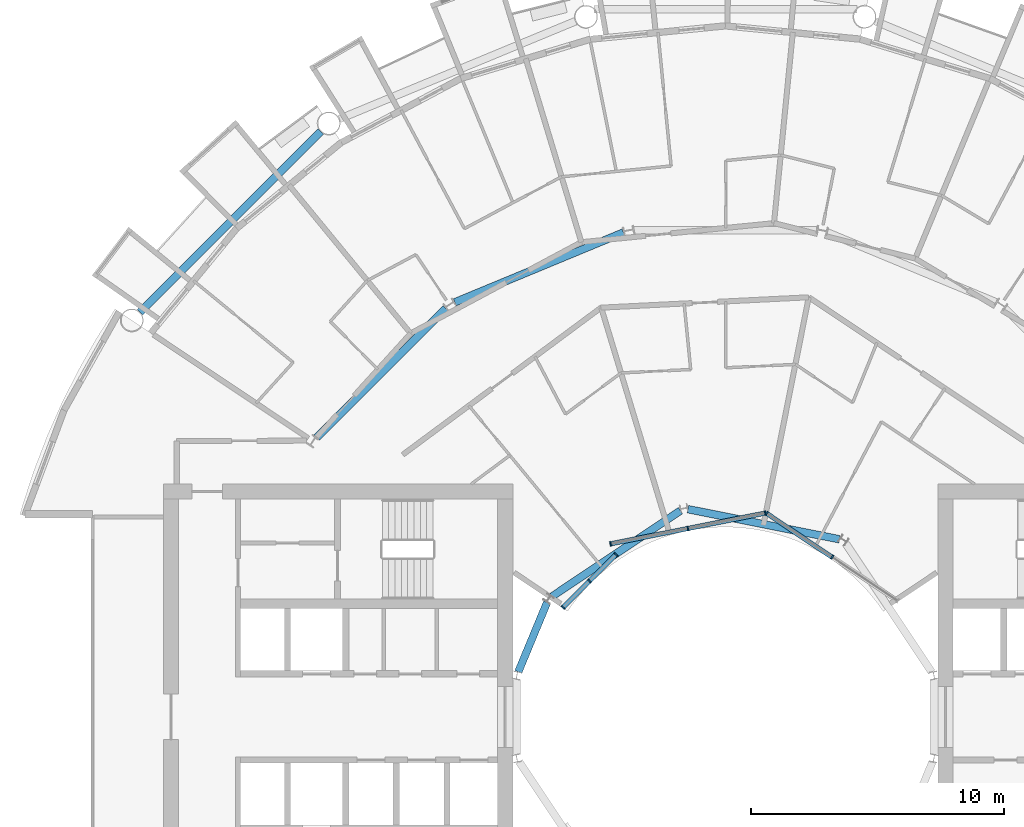
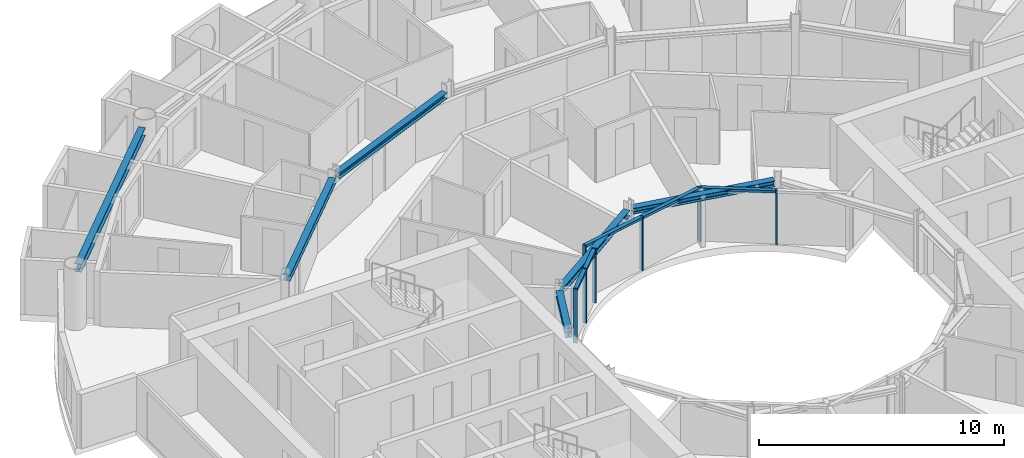
# One storey, part 8 of 27: 13 members, 6 beams, 3 elements without a shape of their own.
"""IFC4 building model written with IfcOpenShell, lengths in metres."""

from ifc_helpers import new_model, si_unit, direction, frame, origin, origin_2d, place, context, subcontext, project, spatial, rectangle, i_section, extrude, material, layer, layer_set, material_profile, profile_set, type_object, element, aggregate, save


model = new_model("IFC4")

# Units and contexts
model_context = context("Model", 3, precision=1e-05, world=origin(), true_north=direction((0.0, 1.0)))
body_context = subcontext(model_context, "Body", "Model", "MODEL_VIEW")
ifc_project = project(units=[si_unit("LENGTHUNIT", "METRE"), si_unit("AREAUNIT", "SQUARE_METRE"), si_unit("VOLUMEUNIT", "CUBIC_METRE"), si_unit("PLANEANGLEUNIT", "RADIAN"), si_unit("MASSUNIT", "GRAM", prefix="KILO")], contexts=[model_context])

# Site, building, storey
site_placement = place(None, origin())
site = spatial("IfcSite", under=ifc_project, at=site_placement, CompositionType="ELEMENT")
building_placement = place(site_placement, origin())
building = spatial("IfcBuilding", under=site, at=building_placement, Name="Maasbend Ring Residences", CompositionType="ELEMENT")
storey_placement = place(building_placement, frame((0.0, 0.0, 126.89990234375)))
storey = spatial("IfcBuildingStorey", under=building, at=storey_placement, Name="L36", CompositionType="ELEMENT", Elevation=126.89990234375)

# Curtain wall, members
ifc_material_1 = material(Name="Aluminium and clear glass", Category="aluminium")
ifc_layer = layer(ifc_material_1, 0.179931640625)
ifc_layer_set = layer_set([ifc_layer], Name="CW-W")
curtain_wall_type = type_object("IfcCurtainWallType", Name="CW-W", PredefinedType="NOTDEFINED", material=ifc_layer_set)
curtain_wall_1_placement = place(storey_placement, origin())
curtain_wall_1 = element("IfcCurtainWall", 1, at=curtain_wall_1_placement, inside=storey, type_object=curtain_wall_type, Name="Well curtain wall N1", PredefinedType="NOTDEFINED")
ifc_material_2 = material(Name="Aluminium 6063-T6", Category="aluminium")
ifc_material_profile_1 = material_profile(ifc_material_2, rectangle(XDim=0.179931640625, YDim=0.06005859375, at=origin_2d()), Name="AL 180x60")
ifc_profile_set_1 = profile_set([ifc_material_profile_1], Name="Aluminium 6063-T6")
member_type_1 = type_object("IfcMemberType", Name="CWM-W", PredefinedType="MULLION", material=ifc_profile_set_1)
member_1_placement = place(storey_placement, frame((4.216796875, 6.310791015625, 0.0), z_axis=(0.0, 0.0, 1.0), x_axis=(-0.55557023302, -0.831469612303, 0.0)))
member_1 = element("IfcMember", 2, at=member_1_placement, type_object=member_type_1, Name="Mullion well face", PredefinedType="MULLION", context=body_context, shape_type="SweptSolid", body=[
    extrude(rectangle(XDim=0.179931640625, YDim=0.06005859375, at=origin_2d()), origin(), (0.0, 0.0, 1.0), 2.7001953125),
])
member_2_placement = place(storey_placement, frame((1.627685546875, 8.040771484375, 0.0), z_axis=(0.0, 0.0, 1.0), x_axis=(-0.55557023302, -0.831469612303, 0.0)))
member_2 = element("IfcMember", 3, at=member_2_placement, type_object=member_type_1, Name="Mullion well face", PredefinedType="MULLION", context=body_context, shape_type="SweptSolid", body=[
    extrude(rectangle(XDim=0.179931640625, YDim=0.06005859375, at=origin_2d()), origin(), (0.0, 0.0, 1.0), 2.7001953125),
])

curtain_wall_2_placement = place(storey_placement, origin())
curtain_wall_2 = element("IfcCurtainWall", 4, at=curtain_wall_2_placement, inside=storey, type_object=curtain_wall_type, Name="Well curtain wall N2", PredefinedType="NOTDEFINED")
member_3_placement = place(storey_placement, frame((1.5732421875, 8.0517578125, 0.0), z_axis=(0.0, 0.0, 1.0), x_axis=(0.195090322016, -0.980785280403, 0.0)))
member_3 = element("IfcMember", 5, at=member_3_placement, type_object=member_type_1, Name="Mullion well face", PredefinedType="MULLION", context=body_context, shape_type="SweptSolid", body=[
    extrude(rectangle(XDim=0.179931640625, YDim=0.06005859375, at=origin_2d()), origin(), (0.0, 0.0, 1.0), 2.7001953125),
])
member_4_placement = place(storey_placement, frame((-1.480712890625, 7.444091796875, 0.0), z_axis=(0.0, 0.0, 1.0), x_axis=(0.195090322016, -0.980785280403, 0.0)))
member_4 = element("IfcMember", 6, at=member_4_placement, type_object=member_type_1, Name="Mullion well face", PredefinedType="MULLION", context=body_context, shape_type="SweptSolid", body=[
    extrude(rectangle(XDim=0.179931640625, YDim=0.06005859375, at=origin_2d()), origin(), (0.0, 0.0, 1.0), 2.7001953125),
])
member_5_placement = place(storey_placement, frame((-4.53466796875, 6.836669921875, 0.0), z_axis=(0.0, 0.0, 1.0), x_axis=(0.195090322016, -0.980785280403, 0.0)))
member_5 = element("IfcMember", 7, at=member_5_placement, type_object=member_type_1, Name="Mullion well face", PredefinedType="MULLION", context=body_context, shape_type="SweptSolid", body=[
    extrude(rectangle(XDim=0.179931640625, YDim=0.06005859375, at=origin_2d()), origin(), (0.0, 0.0, 1.0), 2.7001953125),
])

curtain_wall_3_placement = place(storey_placement, origin())
curtain_wall_3 = element("IfcCurtainWall", 8, at=curtain_wall_3_placement, inside=storey, type_object=curtain_wall_type, Name="Well curtain wall N3", PredefinedType="NOTDEFINED")
member_6_placement = place(storey_placement, frame((-4.320556640625, 6.413330078125, 0.0), z_axis=(0.0, 0.0, 1.0), x_axis=(0.707106781187, -0.707106781187, 0.0)))
member_6 = element("IfcMember", 9, at=member_6_placement, type_object=member_type_1, Name="Mullion well face", PredefinedType="MULLION", context=body_context, shape_type="SweptSolid", body=[
    extrude(rectangle(XDim=0.179931640625, YDim=0.06005859375, at=origin_2d()), origin(), (0.0, 0.0, 1.0), 2.7001953125),
])
member_7_placement = place(storey_placement, frame((-5.366943359375, 5.366943359375, 0.0), z_axis=(0.0, 0.0, 1.0), x_axis=(0.707106781187, -0.707106781187, 0.0)))
member_7 = element("IfcMember", 10, at=member_7_placement, type_object=member_type_1, Name="Mullion well face", PredefinedType="MULLION", context=body_context, shape_type="SweptSolid", body=[
    extrude(rectangle(XDim=0.179931640625, YDim=0.06005859375, at=origin_2d()), origin(), (0.0, 0.0, 1.0), 2.7001953125),
])
member_8_placement = place(storey_placement, frame((-6.413330078125, 4.320556640625, 0.0), z_axis=(0.0, 0.0, 1.0), x_axis=(0.707106781187, -0.707106781187, 0.0)))
member_8 = element("IfcMember", 11, at=member_8_placement, type_object=member_type_1, Name="Mullion well face", PredefinedType="MULLION", context=body_context, shape_type="SweptSolid", body=[
    extrude(rectangle(XDim=0.179931640625, YDim=0.06005859375, at=origin_2d()), origin(), (0.0, 0.0, 1.0), 2.7001953125),
])

# Member
ifc_material_3 = material(Name="Aluminium 6063-T6", Category="aluminium")
ifc_material_profile_2 = material_profile(ifc_material_3, rectangle(XDim=0.179931640625, YDim=0.1201171875, at=origin_2d()), Name="AL 180x120")
ifc_profile_set_2 = profile_set([ifc_material_profile_2], Name="Aluminium 6063-T6")
member_type_2 = type_object("IfcMemberType", Name="CWT-W", PredefinedType="USERDEFINED", material=ifc_profile_set_2)
member_9_placement = place(storey_placement, frame((4.19189453125, 6.32763671875, 2.64013671875), z_axis=(-0.831496422459, 0.555530106689, 0.0), x_axis=(-0.555530106689, -0.831496422459, 0.0)))
member_9 = element("IfcMember", 12, at=member_9_placement, type_object=member_type_2, Name="Transom well face", ObjectType="TRANSOM", PredefinedType="USERDEFINED", context=body_context, shape_type="SweptSolid", body=[
    extrude(rectangle(XDim=0.179931640625, YDim=0.1201171875, at=origin_2d()), origin(), (0.0, 0.0, 1.0), 3.053955078125),
])

aggregate(curtain_wall_1, [member_1, member_2, member_9])

member_10_placement = place(storey_placement, frame((1.5439453125, 8.0458984375, 2.64013671875), z_axis=(-0.980776956105, -0.195132166424, 0.0), x_axis=(0.195132166424, -0.980776956105, 0.0)))
member_10 = element("IfcMember", 13, at=member_10_placement, type_object=member_type_2, Name="Transom well face", ObjectType="TRANSOM", PredefinedType="USERDEFINED", context=body_context, shape_type="SweptSolid", body=[
    extrude(rectangle(XDim=0.179931640625, YDim=0.1201171875, at=origin_2d()), origin(), (0.0, 0.0, 1.0), 3.053955078125),
])

member_11_placement = place(storey_placement, frame((-1.51025390625, 7.438232421875, 2.64013671875), z_axis=(-0.980789210404, -0.19507056353, 0.0), x_axis=(0.19507056353, -0.980789210404, 0.0)))
member_11 = element("IfcMember", 14, at=member_11_placement, type_object=member_type_2, Name="Transom well face", ObjectType="TRANSOM", PredefinedType="USERDEFINED", context=body_context, shape_type="SweptSolid", body=[
    extrude(rectangle(XDim=0.179931640625, YDim=0.1201171875, at=origin_2d()), origin(), (0.0, 0.0, 1.0), 3.0537109375),
])

aggregate(curtain_wall_2, [member_3, member_4, member_5, member_10, member_11])

member_12_placement = place(storey_placement, frame((-4.341796875, 6.39208984375, 2.64013671875), z_axis=(-0.707106781187, -0.707106781187, 0.0), x_axis=(0.707106781187, -0.707106781187, 0.0)))
member_12 = element("IfcMember", 15, at=member_12_placement, type_object=member_type_2, Name="Transom well face", ObjectType="TRANSOM", PredefinedType="USERDEFINED", context=body_context, shape_type="SweptSolid", body=[
    extrude(rectangle(XDim=0.179931640625, YDim=0.1201171875, at=origin_2d()), origin(), (0.0, 0.0, 1.0), 1.419677734375),
])

member_13_placement = place(storey_placement, frame((-5.38818359375, 5.345703125, 2.64013671875), z_axis=(-0.707106781187, -0.707106781187, 0.0), x_axis=(0.707106781187, -0.707106781187, 0.0)))
member_13 = element("IfcMember", 16, at=member_13_placement, type_object=member_type_2, Name="Transom well face", ObjectType="TRANSOM", PredefinedType="USERDEFINED", context=body_context, shape_type="SweptSolid", body=[
    extrude(rectangle(XDim=0.179931640625, YDim=0.1201171875, at=origin_2d()), origin(), (0.0, 0.0, 1.0), 1.419677734375),
])

aggregate(curtain_wall_3, [member_6, member_7, member_8, member_12, member_13])

# Beams
ifc_material_4 = material(Name="Steel S355J2", Category="steel")
ifc_material_profile_3 = material_profile(ifc_material_4, i_section(OverallWidth=0.300048828125, OverallDepth=0.2900390625, WebThickness=0.008544921875, FlangeThickness=0.013916015625, FilletRadius=0.027099609375, at=origin_2d()), Name="HEA 300")
ifc_profile_set_3 = profile_set([ifc_material_profile_3], Name="Steel S355J2")
beam_type_1 = type_object("IfcBeamType", Name="Corridor ring beam HEA 300", PredefinedType="BEAM", material=ifc_profile_set_3)
for number, where, z_axis, x_axis, name in (
    (17, (-4.02734375, 19.13916015625, 2.55517578125), (-0.923877693919, -0.382687871089, 0.0), (0.382687871089, -0.923877693919, 0.0), "Corridor ring beam"),
    (18, (-11.044921875, 16.14111328125, 2.55517578125), (-0.707106781187, -0.707106781187, 0.0), (0.707106781187, -0.707106781187, 0.0), "Corridor ring beam"),
):
    element("IfcBeam", number, at=place(storey_placement, frame(where, z_axis=z_axis, x_axis=x_axis)), inside=storey, type_object=beam_type_1, Name=name, PredefinedType="BEAM", context=body_context, shape_type="SweptSolid", body=[
        extrude(i_section(OverallWidth=0.300048828125, OverallDepth=0.2900390625, WebThickness=0.008544921875, FlangeThickness=0.013916015625, FilletRadius=0.027099609375, at=origin_2d()), origin(), (0.0, 0.0, 1.0), 7.20703125),
    ])
ifc_material_5 = material(Name="Steel S355J2", Category="steel")
ifc_material_profile_4 = material_profile(ifc_material_5, i_section(OverallWidth=0.300048828125, OverallDepth=0.39990234375, WebThickness=0.013427734375, FlangeThickness=0.02392578125, FilletRadius=0.027099609375, at=origin_2d()), Name="HEB 400")
ifc_profile_set_4 = profile_set([ifc_material_profile_4], Name="Steel S355J2")
beam_type_2 = type_object("IfcBeamType", Name="Spandrel ring beam HEB 400", PredefinedType="SPANDREL", material=ifc_profile_set_4)
beam_1_placement = place(storey_placement, frame((-15.990234375, 23.124267578125, 2.5), z_axis=(-0.707106781187, -0.707106781187, 0.0), x_axis=(0.707106781187, -0.707106781187, 0.0)))
element("IfcBeam", 19, at=beam_1_placement, inside=storey, type_object=beam_type_2, Name="Spandrel ring beam", PredefinedType="SPANDREL", context=body_context, shape_type="SweptSolid", body=[
    extrude(i_section(OverallWidth=0.300048828125, OverallDepth=0.39990234375, WebThickness=0.013427734375, FlangeThickness=0.02392578125, FilletRadius=0.027099609375, at=origin_2d()), origin(), (0.0, 0.0, 1.0), 10.089111328125),
])
ifc_material_6 = material(Name="Steel S355J2", Category="steel")
ifc_material_profile_5 = material_profile(ifc_material_6, i_section(OverallWidth=0.300048828125, OverallDepth=0.2900390625, WebThickness=0.008544921875, FlangeThickness=0.013916015625, FilletRadius=0.027099609375, at=origin_2d()), Name="HEA 300")
ifc_profile_set_5 = profile_set([ifc_material_profile_5], Name="Steel S355J2")
beam_type_3 = type_object("IfcBeamType", Name="Well edge beam HEA 300", PredefinedType="BEAM", material=ifc_profile_set_5)
beam_2_placement = place(storey_placement, frame((4.507568359375, 7.01611328125, 2.55517578125), z_axis=(-0.980792381321, 0.195054619896, 0.0), x_axis=(-0.195054619896, -0.980792381321, 0.0)))
element("IfcBeam", 20, at=beam_2_placement, inside=storey, type_object=beam_type_3, Name="Well edge beam", PredefinedType="BEAM", context=body_context, shape_type="SweptSolid", body=[
    extrude(i_section(OverallWidth=0.300048828125, OverallDepth=0.2900390625, WebThickness=0.008544921875, FlangeThickness=0.013916015625, FilletRadius=0.027099609375, at=origin_2d()), origin(), (0.0, 0.0, 1.0), 6.104248046875),
])
beam_3_placement = place(storey_placement, frame((-1.773681640625, 8.1484375, 2.55517578125), z_axis=(-0.831477628137, -0.555558236289, 0.0), x_axis=(0.555558236289, -0.831477628137, 0.0)))
element("IfcBeam", 21, at=beam_3_placement, inside=storey, type_object=beam_type_3, Name="Well edge beam", PredefinedType="BEAM", context=body_context, shape_type="SweptSolid", body=[
    extrude(i_section(OverallWidth=0.300048828125, OverallDepth=0.2900390625, WebThickness=0.008544921875, FlangeThickness=0.013916015625, FilletRadius=0.027099609375, at=origin_2d()), origin(), (0.0, 0.0, 1.0), 6.1044921875),
])
beam_4_placement = place(storey_placement, frame((-7.042724609375, 4.525390625, 2.55517578125), z_axis=(-0.382765370874, -0.923845588212, 0.0), x_axis=(0.923845588212, -0.382765370874, 0.0)))
element("IfcBeam", 22, at=beam_4_placement, inside=storey, type_object=beam_type_3, Name="Well edge beam", PredefinedType="BEAM", context=body_context, shape_type="SweptSolid", body=[
    extrude(i_section(OverallWidth=0.300048828125, OverallDepth=0.2900390625, WebThickness=0.008544921875, FlangeThickness=0.013916015625, FilletRadius=0.027099609375, at=origin_2d()), origin(), (0.0, 0.0, 1.0), 2.9716796875),
])

save(model, "model.ifc")
